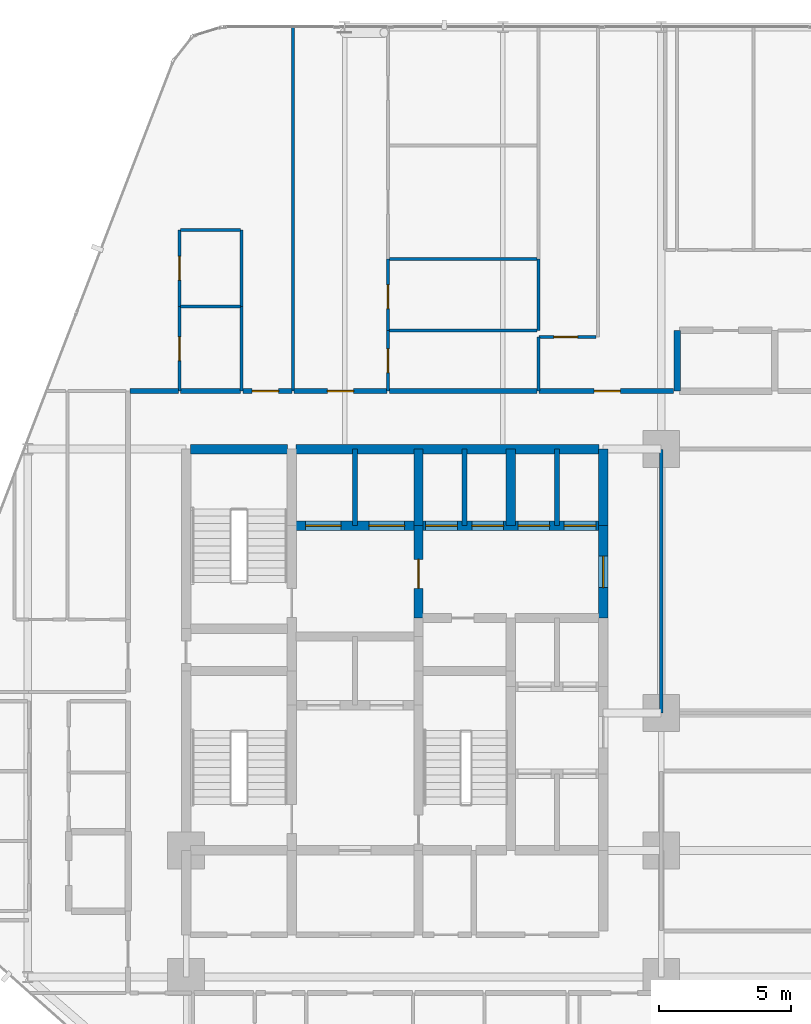
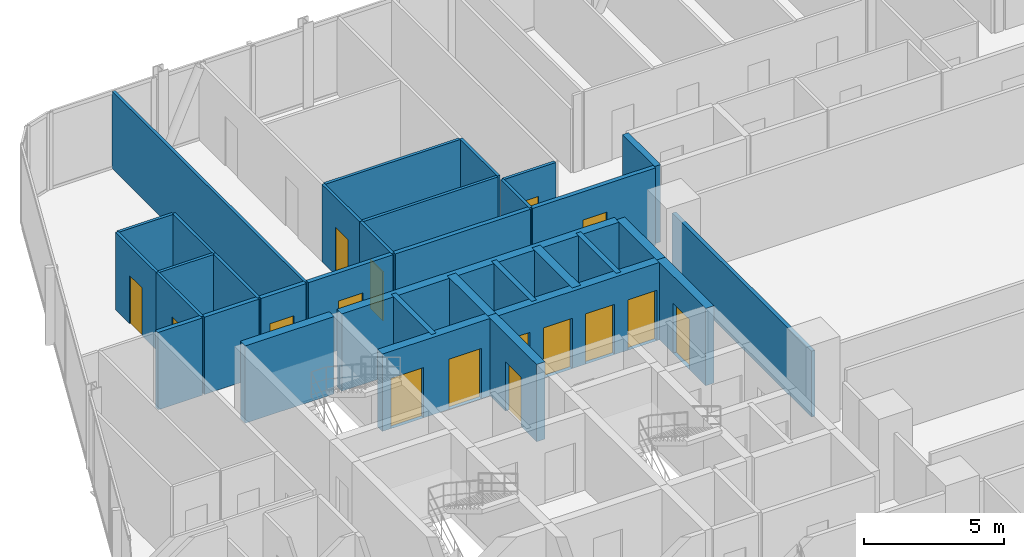
# One storey, part 31 of 35: 33 walls, 16 doors, 16 openings.
"""IFC4 building model written with IfcOpenShell, lengths in metres."""

from ifc_helpers import new_model, si_unit, direction, frame, frame_2d, origin, place, context, subcontext, project, spatial, rectangle, extrude, material, layer, layer_set, type_object, element, fill, save


model = new_model("IFC4")

# Units and contexts
model_context = context("Model", 3, precision=1e-05, world=origin(), true_north=direction((0.0, 1.0)))
body_context = subcontext(model_context, "Body", "Model", "MODEL_VIEW")
ifc_project = project(units=[si_unit("LENGTHUNIT", "METRE"), si_unit("AREAUNIT", "SQUARE_METRE"), si_unit("VOLUMEUNIT", "CUBIC_METRE"), si_unit("PLANEANGLEUNIT", "RADIAN"), si_unit("MASSUNIT", "GRAM", prefix="KILO")], contexts=[model_context])

# Site, building, storey
site_placement = place(None, origin())
site = spatial("IfcSite", under=ifc_project, at=site_placement, CompositionType="ELEMENT")
building_placement = place(site_placement, origin())
building = spatial("IfcBuilding", under=site, at=building_placement, Name="Keshet Zoharim Tower", CompositionType="ELEMENT")
storey_placement = place(building_placement, frame((0.0, 0.0, 24.0)))
storey = spatial("IfcBuildingStorey", under=building, at=storey_placement, Name="L04", CompositionType="ELEMENT", Elevation=24.0)

# Wall
ifc_material_1 = material(Name="Gypsum Plasterboard", Category="gypsum")
ifc_layer_1 = layer(ifc_material_1, 0.14990234375)
ifc_layer_set_1 = layer_set([ifc_layer_1], Name="Gypsum Plasterboard")
wall_type_1 = type_object("IfcWallType", Name="WL-CLIN-150", PredefinedType="STANDARD", material=ifc_layer_set_1)
wall_1_placement = place(storey_placement, frame((33.0, 27.909912109375, 0.0), z_axis=(0.0, 0.0, 1.0), x_axis=(0.0, 1.0, 0.0)))
element("IfcWall", 1, at=wall_1_placement, inside=storey, type_object=wall_type_1, Name="L04 Interior Wall 073", PredefinedType="STANDARD", context=body_context, shape_type="SweptSolid", body=[
    extrude(rectangle(XDim=9.97998046875, YDim=0.14990234375, at=frame_2d((4.989990234375, 0.0))), origin(), (0.0, 0.0, 1.0), 2.885009765625),
])

# Wall, opening, door
ifc_material_2 = material(Name="Concrete C60/75", Category="concrete")
ifc_layer_2 = layer(ifc_material_2, 0.35009765625)
ifc_layer_set_2 = layer_set([ifc_layer_2], Name="Concrete C60/75")
wall_type_2 = type_object("IfcWallType", Name="WL-CORE-350", PredefinedType="SHEAR", material=ifc_layer_set_2)
wall_2_placement = place(storey_placement, frame((23.800048828125, 31.5, 0.0), z_axis=(0.0, 0.0, 1.0), x_axis=(0.0, 1.0, 0.0)))
wall_2 = element("IfcWall", 2, at=wall_2_placement, inside=storey, type_object=wall_type_2, Name="L04 Core Shear Wall 045", PredefinedType="SHEAR", context=body_context, shape_type="SweptSolid", body=[
    extrude(rectangle(XDim=3.5, YDim=0.35009765625, at=frame_2d((1.75, 0.0))), origin(), (0.0, 0.0, 1.0), 3.385009765625),
])
opening_1_placement = place(wall_2_placement, frame((1.126953125, 0.0, 0.0)))
opening_1 = element("IfcOpeningElement", 3, at=opening_1_placement, cuts=wall_2, Name="Opening D-F611", PredefinedType="OPENING", context=body_context, shape_type="SweptSolid", body=[
    extrude(rectangle(XDim=1.10009765625, YDim=2.14990234375, at=frame_2d((0.550048828125, 1.074951171875))), frame((0.0, 0.18505859375, 0.0), z_axis=(0.0, -1.0, 0.0), x_axis=(1.0, 0.0, 0.0)), (0.0, 0.0, 1.0), 0.3701171875),
])
ifc_material_3 = material(Name="Hardwood Timber", Category="wood")
door_type_1 = type_object("IfcDoorType", Name="DR-FD60-110", OperationType="NOTDEFINED", PredefinedType="DOOR", material=ifc_material_3)
door_1_placement = place(opening_1_placement, origin())
door_1 = element("IfcDoor", 4, at=door_1_placement, inside=storey, type_object=door_type_1, Name="L04 Firefighting Lobby Fire Door", OperationType="SINGLE_SWING_RIGHT", OverallHeight=2.14990234375, OverallWidth=1.10009765625, PredefinedType="DOOR", context=body_context, shape_type="SweptSolid", body=[
    extrude(rectangle(XDim=1.10009765625, YDim=2.14990234375, at=frame_2d((0.550048828125, 1.074951171875))), frame((0.0, 0.02490234375, 0.0), z_axis=(0.0, -1.0, 0.0), x_axis=(1.0, 0.0, 0.0)), (0.0, 0.0, 1.0), 0.050048828125),
])
fill(opening_1, door_1)

# Walls
for number, where, z_axis, x_axis, name in (
    (5, (23.800048828125, 35.0, 0.0), (0.0, 0.0, 1.0), (0.0, 1.0, 0.0), "L04 Core Shear Wall 046"),
    (6, (27.300048828125, 35.0, 0.0), (0.0, 0.0, 1.0), (0.0, 1.0, 0.0), "L04 Core Shear Wall 055"),
):
    element("IfcWall", number, at=place(storey_placement, frame(where, z_axis=z_axis, x_axis=x_axis)), inside=storey, type_object=wall_type_2, Name=name, PredefinedType="SHEAR", context=body_context, shape_type="SweptSolid", body=[
        extrude(rectangle(XDim=2.89990234375, YDim=0.35009765625, at=frame_2d((1.449951171875, 0.0))), origin(), (0.0, 0.0, 1.0), 3.385009765625),
    ])

# Wall, opening, door
wall_3_placement = place(storey_placement, frame((30.800048828125, 31.5, 0.0), z_axis=(0.0, 0.0, 1.0), x_axis=(0.0, 1.0, 0.0)))
wall_3 = element("IfcWall", 7, at=wall_3_placement, inside=storey, type_object=wall_type_2, Name="L04 Core Shear Wall 070", PredefinedType="SHEAR", context=body_context, shape_type="SweptSolid", body=[
    extrude(rectangle(XDim=3.5, YDim=0.35009765625, at=frame_2d((1.75, 0.0))), origin(), (0.0, 0.0, 1.0), 3.385009765625),
])
opening_2_placement = place(wall_3_placement, frame((1.14990234375, 0.0, 0.0)))
opening_2 = element("IfcOpeningElement", 8, at=opening_2_placement, cuts=wall_3, Name="Opening D-F612", PredefinedType="OPENING", context=body_context, shape_type="SweptSolid", body=[
    extrude(rectangle(XDim=1.199951171875, YDim=2.199951171875, at=frame_2d((0.60009765625, 1.10009765625))), frame((0.0, 0.18505859375, 0.0), z_axis=(0.0, -1.0, 0.0), x_axis=(1.0, 0.0, 0.0)), (0.0, 0.0, 1.0), 0.3701171875),
])
door_type_2 = type_object("IfcDoorType", Name="DR-FD60-120", OperationType="NOTDEFINED", PredefinedType="DOOR", material=ifc_material_3)
door_2_placement = place(opening_2_placement, origin())
door_2 = element("IfcDoor", 9, at=door_2_placement, inside=storey, type_object=door_type_2, Name="L04 North Lift Lobby East Fire Door", OperationType="SINGLE_SWING_RIGHT", OverallHeight=2.199951171875, OverallWidth=1.199951171875, PredefinedType="DOOR", context=body_context, shape_type="SweptSolid", body=[
    extrude(rectangle(XDim=1.199951171875, YDim=2.199951171875, at=frame_2d((0.60009765625, 1.10009765625))), frame((0.0, 0.02490234375, 0.0), z_axis=(0.0, -1.0, 0.0), x_axis=(1.0, 0.0, 0.0)), (0.0, 0.0, 1.0), 0.050048828125),
])
fill(opening_2, door_2)

# Wall
wall_4_placement = place(storey_placement, frame((30.800048828125, 35.0, 0.0), z_axis=(0.0, 0.0, 1.0), x_axis=(0.0, 1.0, 0.0)))
element("IfcWall", 10, at=wall_4_placement, inside=storey, type_object=wall_type_2, Name="L04 Core Shear Wall 071", PredefinedType="SHEAR", context=body_context, shape_type="SweptSolid", body=[
    extrude(rectangle(XDim=2.89990234375, YDim=0.35009765625, at=frame_2d((1.449951171875, 0.0))), origin(), (0.0, 0.0, 1.0), 3.385009765625),
])

# Wall, openings, doors
wall_5_placement = place(storey_placement, frame((19.159912109375, 35.0, 0.0), z_axis=(0.0, 0.0, 1.0), x_axis=(1.0, 0.0, 0.0)))
wall_5 = element("IfcWall", 11, at=wall_5_placement, inside=storey, type_object=wall_type_2, Name="L04 Core Shear Wall 197", PredefinedType="SHEAR", context=body_context, shape_type="SweptSolid", body=[
    extrude(rectangle(XDim=11.47998046875, YDim=0.35009765625, at=frame_2d((5.739990234375, 0.0))), origin(), (0.0, 0.0, 1.0), 3.385009765625),
])
opening_3_placement = place(wall_5_placement, frame((0.364990234375, 0.0, 0.0)))
opening_3 = element("IfcOpeningElement", 12, at=opening_3_placement, cuts=wall_5, Name="Opening LD-02", PredefinedType="OPENING", context=body_context, shape_type="SweptSolid", body=[
    extrude(rectangle(XDim=1.35009765625, YDim=2.199951171875, at=frame_2d((0.675048828125, 1.10009765625))), frame((0.0, 0.18505859375, 0.0), z_axis=(0.0, -1.0, 0.0), x_axis=(1.0, 0.0, 0.0)), (0.0, 0.0, 1.0), 0.3701171875),
])
opening_4_placement = place(wall_5_placement, frame((2.764892578125, 0.0, 0.0)))
opening_4 = element("IfcOpeningElement", 13, at=opening_4_placement, cuts=wall_5, Name="Opening LD-02", PredefinedType="OPENING", context=body_context, shape_type="SweptSolid", body=[
    extrude(rectangle(XDim=1.35009765625, YDim=2.199951171875, at=frame_2d((0.675048828125, 1.10009765625))), frame((0.0, 0.18505859375, 0.0), z_axis=(0.0, -1.0, 0.0), x_axis=(1.0, 0.0, 0.0)), (0.0, 0.0, 1.0), 0.3701171875),
])
opening_5_placement = place(wall_5_placement, frame((4.9150390625, 0.0, 0.0)))
opening_5 = element("IfcOpeningElement", 14, at=opening_5_placement, cuts=wall_5, Name="Opening LD-03", PredefinedType="OPENING", context=body_context, shape_type="SweptSolid", body=[
    extrude(rectangle(XDim=1.199951171875, YDim=2.199951171875, at=frame_2d((0.60009765625, 1.10009765625))), frame((0.0, 0.18505859375, 0.0), z_axis=(0.0, -1.0, 0.0), x_axis=(1.0, 0.0, 0.0)), (0.0, 0.0, 1.0), 0.3701171875),
])
opening_6_placement = place(wall_5_placement, frame((6.6650390625, 0.0, 0.0)))
opening_6 = element("IfcOpeningElement", 15, at=opening_6_placement, cuts=wall_5, Name="Opening LD-03", PredefinedType="OPENING", context=body_context, shape_type="SweptSolid", body=[
    extrude(rectangle(XDim=1.199951171875, YDim=2.199951171875, at=frame_2d((0.60009765625, 1.10009765625))), frame((0.0, 0.18505859375, 0.0), z_axis=(0.0, -1.0, 0.0), x_axis=(1.0, 0.0, 0.0)), (0.0, 0.0, 1.0), 0.3701171875),
])
opening_7_placement = place(wall_5_placement, frame((8.4150390625, 0.0, 0.0)))
opening_7 = element("IfcOpeningElement", 16, at=opening_7_placement, cuts=wall_5, Name="Opening LD-03", PredefinedType="OPENING", context=body_context, shape_type="SweptSolid", body=[
    extrude(rectangle(XDim=1.199951171875, YDim=2.199951171875, at=frame_2d((0.60009765625, 1.10009765625))), frame((0.0, 0.18505859375, 0.0), z_axis=(0.0, -1.0, 0.0), x_axis=(1.0, 0.0, 0.0)), (0.0, 0.0, 1.0), 0.3701171875),
])
opening_8_placement = place(wall_5_placement, frame((10.159912109375, 0.0, 0.0)))
opening_8 = element("IfcOpeningElement", 17, at=opening_8_placement, cuts=wall_5, Name="Opening LD-03", PredefinedType="OPENING", context=body_context, shape_type="SweptSolid", body=[
    extrude(rectangle(XDim=1.199951171875, YDim=2.199951171875, at=frame_2d((0.60009765625, 1.10009765625))), frame((0.0, 0.18505859375, 0.0), z_axis=(0.0, -1.0, 0.0), x_axis=(1.0, 0.0, 0.0)), (0.0, 0.0, 1.0), 0.3701171875),
])
ifc_material_4 = material(Name="Steel S355", Category="steel")
door_type_3 = type_object("IfcDoorType", Name="DR-LD02-135", OperationType="DOUBLE_DOOR_SLIDING", PredefinedType="DOOR", material=ifc_material_4)
door_3_placement = place(opening_3_placement, origin())
door_3 = element("IfcDoor", 18, at=door_3_placement, inside=storey, type_object=door_type_3, Name="L04 Firefighting Lift Landing Door FF-01", OperationType="DOUBLE_DOOR_SLIDING", OverallHeight=2.199951171875, OverallWidth=1.35009765625, PredefinedType="DOOR", context=body_context, shape_type="SweptSolid", body=[
    extrude(rectangle(XDim=1.35009765625, YDim=2.199951171875, at=frame_2d((0.675048828125, 1.10009765625))), frame((0.0, 0.02490234375, 0.0), z_axis=(0.0, -1.0, 0.0), x_axis=(1.0, 0.0, 0.0)), (0.0, 0.0, 1.0), 0.050048828125),
])
fill(opening_3, door_3)
door_4_placement = place(opening_4_placement, origin())
door_4 = element("IfcDoor", 19, at=door_4_placement, inside=storey, type_object=door_type_3, Name="L04 Firefighting Lift Landing Door FF-02", OperationType="DOUBLE_DOOR_SLIDING", OverallHeight=2.199951171875, OverallWidth=1.35009765625, PredefinedType="DOOR", context=body_context, shape_type="SweptSolid", body=[
    extrude(rectangle(XDim=1.35009765625, YDim=2.199951171875, at=frame_2d((0.675048828125, 1.10009765625))), frame((0.0, 0.02490234375, 0.0), z_axis=(0.0, -1.0, 0.0), x_axis=(1.0, 0.0, 0.0)), (0.0, 0.0, 1.0), 0.050048828125),
])
fill(opening_4, door_4)
door_type_4 = type_object("IfcDoorType", Name="DR-LD03-120", OperationType="DOUBLE_DOOR_SLIDING", PredefinedType="DOOR", material=ifc_material_4)
door_5_placement = place(opening_5_placement, origin())
door_5 = element("IfcDoor", 20, at=door_5_placement, inside=storey, type_object=door_type_4, Name="L04 Passenger Lift Landing Door LF-01", OperationType="DOUBLE_DOOR_SLIDING", OverallHeight=2.199951171875, OverallWidth=1.199951171875, PredefinedType="DOOR", context=body_context, shape_type="SweptSolid", body=[
    extrude(rectangle(XDim=1.199951171875, YDim=2.199951171875, at=frame_2d((0.60009765625, 1.10009765625))), frame((0.0, 0.02490234375, 0.0), z_axis=(0.0, -1.0, 0.0), x_axis=(1.0, 0.0, 0.0)), (0.0, 0.0, 1.0), 0.050048828125),
])
fill(opening_5, door_5)
door_6_placement = place(opening_6_placement, origin())
door_6 = element("IfcDoor", 21, at=door_6_placement, inside=storey, type_object=door_type_4, Name="L04 Passenger Lift Landing Door LF-02", OperationType="DOUBLE_DOOR_SLIDING", OverallHeight=2.199951171875, OverallWidth=1.199951171875, PredefinedType="DOOR", context=body_context, shape_type="SweptSolid", body=[
    extrude(rectangle(XDim=1.199951171875, YDim=2.199951171875, at=frame_2d((0.60009765625, 1.10009765625))), frame((0.0, 0.02490234375, 0.0), z_axis=(0.0, -1.0, 0.0), x_axis=(1.0, 0.0, 0.0)), (0.0, 0.0, 1.0), 0.050048828125),
])
fill(opening_6, door_6)
door_7_placement = place(opening_7_placement, origin())
door_7 = element("IfcDoor", 22, at=door_7_placement, inside=storey, type_object=door_type_4, Name="L04 Passenger Lift Landing Door LF-03", OperationType="DOUBLE_DOOR_SLIDING", OverallHeight=2.199951171875, OverallWidth=1.199951171875, PredefinedType="DOOR", context=body_context, shape_type="SweptSolid", body=[
    extrude(rectangle(XDim=1.199951171875, YDim=2.199951171875, at=frame_2d((0.60009765625, 1.10009765625))), frame((0.0, 0.02490234375, 0.0), z_axis=(0.0, -1.0, 0.0), x_axis=(1.0, 0.0, 0.0)), (0.0, 0.0, 1.0), 0.050048828125),
])
fill(opening_7, door_7)
door_8_placement = place(opening_8_placement, origin())
door_8 = element("IfcDoor", 23, at=door_8_placement, inside=storey, type_object=door_type_4, Name="L04 Passenger Lift Landing Door LF-04", OperationType="DOUBLE_DOOR_SLIDING", OverallHeight=2.199951171875, OverallWidth=1.199951171875, PredefinedType="DOOR", context=body_context, shape_type="SweptSolid", body=[
    extrude(rectangle(XDim=1.199951171875, YDim=2.199951171875, at=frame_2d((0.60009765625, 1.10009765625))), frame((0.0, 0.02490234375, 0.0), z_axis=(0.0, -1.0, 0.0), x_axis=(1.0, 0.0, 0.0)), (0.0, 0.0, 1.0), 0.050048828125),
])
fill(opening_8, door_8)

# Walls
wall_6_placement = place(storey_placement, frame((15.159912109375, 37.89990234375, 0.0), z_axis=(0.0, 0.0, 1.0), x_axis=(1.0, 0.0, 0.0)))
element("IfcWall", 24, at=wall_6_placement, inside=storey, type_object=wall_type_2, Name="L04 Core Shear Wall 198", PredefinedType="SHEAR", context=body_context, shape_type="SweptSolid", body=[
    extrude(rectangle(XDim=3.68017578125, YDim=0.35009765625, at=frame_2d((1.840087890625, 0.0))), origin(), (0.0, 0.0, 1.0), 3.385009765625),
])
wall_7_placement = place(storey_placement, frame((19.159912109375, 37.89990234375, 0.0), z_axis=(0.0, 0.0, 1.0), x_axis=(1.0, 0.0, 0.0)))
element("IfcWall", 25, at=wall_7_placement, inside=storey, type_object=wall_type_2, Name="L04 Core Shear Wall 199", PredefinedType="SHEAR", context=body_context, shape_type="SweptSolid", body=[
    extrude(rectangle(XDim=11.47998046875, YDim=0.35009765625, at=frame_2d((5.739990234375, 0.0))), origin(), (0.0, 0.0, 1.0), 3.385009765625),
])
ifc_layer_3 = layer(ifc_material_1, 0.179931640625)
ifc_layer_set_3 = layer_set([ifc_layer_3], Name="Gypsum Plasterboard")
wall_type_3 = type_object("IfcWallType", Name="WL-CORR-180", PredefinedType="STANDARD", material=ifc_layer_set_3)
wall_8_placement = place(storey_placement, frame((12.875, 40.10009765625, 0.0), z_axis=(0.0, 0.0, 1.0), x_axis=(1.0, 0.0, 0.0)))
element("IfcWall", 26, at=wall_8_placement, inside=storey, type_object=wall_type_3, Name="L04 Interior Wall 203", PredefinedType="STANDARD", context=body_context, shape_type="SweptSolid", body=[
    extrude(rectangle(XDim=1.830078125, YDim=0.179931640625, at=frame_2d((0.9150390625, 0.0))), origin(), (0.0, 0.0, 1.0), 3.385009765625),
])
wall_9_placement = place(storey_placement, frame((14.794921875, 40.10009765625, 0.0), z_axis=(0.0, 0.0, 1.0), x_axis=(1.0, 0.0, 0.0)))
element("IfcWall", 27, at=wall_9_placement, inside=storey, type_object=wall_type_3, Name="L04 Interior Wall 204", PredefinedType="STANDARD", context=body_context, shape_type="SweptSolid", body=[
    extrude(rectangle(XDim=2.260009765625, YDim=0.179931640625, at=frame_2d((1.1298828125, 0.0))), origin(), (0.0, 0.0, 1.0), 3.385009765625),
])

# Wall, opening, door
wall_10_placement = place(storey_placement, frame((17.14501953125, 40.10009765625, 0.0), z_axis=(0.0, 0.0, 1.0), x_axis=(1.0, 0.0, 0.0)))
wall_10 = element("IfcWall", 28, at=wall_10_placement, inside=storey, type_object=wall_type_3, Name="L04 Interior Wall 205", PredefinedType="STANDARD", context=body_context, shape_type="SweptSolid", body=[
    extrude(rectangle(XDim=1.85986328125, YDim=0.179931640625, at=frame_2d((0.929931640625, 0.0))), origin(), (0.0, 0.0, 1.0), 3.385009765625),
])
opening_9_placement = place(wall_10_placement, frame((0.35693359375, 0.0, 0.0)))
opening_9 = element("IfcOpeningElement", 29, at=opening_9_placement, cuts=wall_10, Name="Opening D-F310", PredefinedType="OPENING", context=body_context, shape_type="SweptSolid", body=[
    extrude(rectangle(XDim=1.0, YDim=2.14990234375, at=frame_2d((0.5, 1.074951171875))), frame((0.0, 0.10009765625, 0.0), z_axis=(0.0, -1.0, 0.0), x_axis=(1.0, 0.0, 0.0)), (0.0, 0.0, 1.0), 0.199951171875),
])
door_type_5 = type_object("IfcDoorType", Name="DR-FD30-100", OperationType="NOTDEFINED", PredefinedType="DOOR", material=ifc_material_3)
door_9_placement = place(opening_9_placement, origin())
door_9 = element("IfcDoor", 30, at=door_9_placement, inside=storey, type_object=door_type_5, Name="Apartment 0407 Entrance Door", OperationType="SINGLE_SWING_LEFT", OverallHeight=2.14990234375, OverallWidth=1.0, PredefinedType="DOOR", context=body_context, shape_type="SweptSolid", body=[
    extrude(rectangle(XDim=1.0, YDim=2.14990234375, at=frame_2d((0.5, 1.074951171875))), frame((0.0, 0.02490234375, 0.0), z_axis=(0.0, -1.0, 0.0), x_axis=(1.0, 0.0, 0.0)), (0.0, 0.0, 1.0), 0.050048828125),
])
fill(opening_9, door_9)

wall_11_placement = place(storey_placement, frame((19.094970703125, 40.10009765625, 0.0), z_axis=(0.0, 0.0, 1.0), x_axis=(1.0, 0.0, 0.0)))
wall_11 = element("IfcWall", 31, at=wall_11_placement, inside=storey, type_object=wall_type_3, Name="L04 Interior Wall 206", PredefinedType="STANDARD", context=body_context, shape_type="SweptSolid", body=[
    extrude(rectangle(XDim=3.510009765625, YDim=0.179931640625, at=frame_2d((1.7548828125, 0.0))), origin(), (0.0, 0.0, 1.0), 3.385009765625),
])
opening_10_placement = place(wall_11_placement, frame((1.2548828125, 0.0, 0.0)))
opening_10 = element("IfcOpeningElement", 32, at=opening_10_placement, cuts=wall_11, Name="Opening D-F310", PredefinedType="OPENING", context=body_context, shape_type="SweptSolid", body=[
    extrude(rectangle(XDim=1.0, YDim=2.14990234375, at=frame_2d((0.5, 1.074951171875))), frame((0.0, 0.10009765625, 0.0), z_axis=(0.0, -1.0, 0.0), x_axis=(1.0, 0.0, 0.0)), (0.0, 0.0, 1.0), 0.199951171875),
])
door_10_placement = place(opening_10_placement, origin())
door_10 = element("IfcDoor", 33, at=door_10_placement, inside=storey, type_object=door_type_5, Name="Apartment 0408 Entrance Door", OperationType="SINGLE_SWING_RIGHT", OverallHeight=2.14990234375, OverallWidth=1.0, PredefinedType="DOOR", context=body_context, shape_type="SweptSolid", body=[
    extrude(rectangle(XDim=1.0, YDim=2.14990234375, at=frame_2d((0.5, 1.074951171875))), frame((0.0, 0.02490234375, 0.0), z_axis=(0.0, -1.0, 0.0), x_axis=(1.0, 0.0, 0.0)), (0.0, 0.0, 1.0), 0.050048828125),
])
fill(opening_10, door_10)

# Wall
wall_12_placement = place(storey_placement, frame((22.695068359375, 40.10009765625, 0.0), z_axis=(0.0, 0.0, 1.0), x_axis=(1.0, 0.0, 0.0)))
element("IfcWall", 34, at=wall_12_placement, inside=storey, type_object=wall_type_3, Name="L04 Interior Wall 207", PredefinedType="STANDARD", context=body_context, shape_type="SweptSolid", body=[
    extrude(rectangle(XDim=5.58984375, YDim=0.179931640625, at=frame_2d((2.794921875, 0.0))), origin(), (0.0, 0.0, 1.0), 3.385009765625),
])

# Wall, opening, door
wall_13_placement = place(storey_placement, frame((28.375, 40.10009765625, 0.0), z_axis=(0.0, 0.0, 1.0), x_axis=(1.0, 0.0, 0.0)))
wall_13 = element("IfcWall", 35, at=wall_13_placement, inside=storey, type_object=wall_type_3, Name="L04 Interior Wall 208", PredefinedType="STANDARD", context=body_context, shape_type="SweptSolid", body=[
    extrude(rectangle(XDim=5.094970703125, YDim=0.179931640625, at=frame_2d((2.54736328125, 0.0))), origin(), (0.0, 0.0, 1.0), 3.385009765625),
])
opening_11_placement = place(wall_13_placement, frame((2.080078125, 0.0, 0.0)))
opening_11 = element("IfcOpeningElement", 36, at=opening_11_placement, cuts=wall_13, Name="Opening D-F310", PredefinedType="OPENING", context=body_context, shape_type="SweptSolid", body=[
    extrude(rectangle(XDim=1.0, YDim=2.14990234375, at=frame_2d((0.5, 1.074951171875))), frame((0.0, 0.10009765625, 0.0), z_axis=(0.0, -1.0, 0.0), x_axis=(1.0, 0.0, 0.0)), (0.0, 0.0, 1.0), 0.199951171875),
])
door_11_placement = place(opening_11_placement, origin())
door_11 = element("IfcDoor", 37, at=door_11_placement, inside=storey, type_object=door_type_5, Name="Apartment 0409 Entrance Door", OperationType="SINGLE_SWING_LEFT", OverallHeight=2.14990234375, OverallWidth=1.0, PredefinedType="DOOR", context=body_context, shape_type="SweptSolid", body=[
    extrude(rectangle(XDim=1.0, YDim=2.14990234375, at=frame_2d((0.5, 1.074951171875))), frame((0.0, 0.02490234375, 0.0), z_axis=(0.0, -1.0, 0.0), x_axis=(1.0, 0.0, 0.0)), (0.0, 0.0, 1.0), 0.050048828125),
])
fill(opening_11, door_11)

# Walls
ifc_material_5 = material(Name="Concrete C50/60", Category="concrete")
ifc_layer_4 = layer(ifc_material_5, 0.199951171875)
ifc_layer_set_4 = layer_set([ifc_layer_4], Name="Concrete C50/60")
wall_type_4 = type_object("IfcWallType", Name="WL-FIRE-200", PredefinedType="STANDARD", material=ifc_layer_set_4)
for number, where, z_axis, x_axis, name in (
    (38, (21.39990234375, 35.0, 0.0), (0.0, 0.0, 1.0), (0.0, 1.0, 0.0), "L04 Interior Wall 033"),
    (39, (25.550048828125, 35.0, 0.0), (0.0, 0.0, 1.0), (0.0, 1.0, 0.0), "L04 Interior Wall 047"),
    (40, (29.050048828125, 35.0, 0.0), (0.0, 0.0, 1.0), (0.0, 1.0, 0.0), "L04 Interior Wall 061"),
):
    element("IfcWall", number, at=place(storey_placement, frame(where, z_axis=z_axis, x_axis=x_axis)), inside=storey, type_object=wall_type_4, Name=name, PredefinedType="STANDARD", context=body_context, shape_type="SweptSolid", body=[
        extrude(rectangle(XDim=2.89990234375, YDim=0.199951171875, at=frame_2d((1.449951171875, 0.0))), origin(), (0.0, 0.0, 1.0), 3.385009765625),
    ])
ifc_layer_5 = layer(ifc_material_5, 0.25)
ifc_layer_set_5 = layer_set([ifc_layer_5], Name="Concrete C50/60")
wall_type_5 = type_object("IfcWallType", Name="WL-MAMAD-250", PredefinedType="STANDARD", material=ifc_layer_set_5)
wall_14_placement = place(storey_placement, frame((33.60009765625, 40.10009765625, 0.0), z_axis=(0.0, 0.0, 1.0), x_axis=(0.0, 1.0, 0.0)))
element("IfcWall", 41, at=wall_14_placement, inside=storey, type_object=wall_type_5, Name="L04 Interior Wall 076", PredefinedType="STANDARD", context=body_context, shape_type="SweptSolid", body=[
    extrude(rectangle(XDim=2.2998046875, YDim=0.25, at=frame_2d((1.14990234375, 0.0))), origin(), (0.0, 0.0, 1.0), 3.385009765625),
])

# Wall, opening, door
ifc_layer_6 = layer(ifc_material_1, 0.1201171875)
ifc_layer_set_6 = layer_set([ifc_layer_6], Name="Gypsum Plasterboard")
wall_type_6 = type_object("IfcWallType", Name="WL-PART-120", PredefinedType="PARTITIONING", material=ifc_layer_set_6)
wall_15_placement = place(storey_placement, frame((14.75, 40.10009765625, 0.0), z_axis=(0.0, 0.0, 1.0), x_axis=(0.0, 1.0, 0.0)))
wall_15 = element("IfcWall", 42, at=wall_15_placement, inside=storey, type_object=wall_type_6, Name="L04 Interior Wall 013", PredefinedType="PARTITIONING", context=body_context, shape_type="SweptSolid", body=[
    extrude(rectangle(XDim=3.199951171875, YDim=0.1201171875, at=frame_2d((1.60009765625, 0.0))), origin(), (0.0, 0.0, 1.0), 3.385009765625),
])
opening_12_placement = place(wall_15_placement, frame((1.14990234375, 0.0, 0.0)))
opening_12 = element("IfcOpeningElement", 43, at=opening_12_placement, cuts=wall_15, Name="Opening D-IN90", PredefinedType="OPENING", context=body_context, shape_type="SweptSolid", body=[
    extrude(rectangle(XDim=0.89990234375, YDim=2.14990234375, at=frame_2d((0.449951171875, 1.074951171875))), frame((0.0, 0.070068359375, 0.0), z_axis=(0.0, -1.0, 0.0), x_axis=(1.0, 0.0, 0.0)), (0.0, 0.0, 1.0), 0.14013671875),
])
door_type_6 = type_object("IfcDoorType", Name="DR-INT-090", OperationType="NOTDEFINED", PredefinedType="DOOR", material=ifc_material_3)
door_12_placement = place(opening_12_placement, origin())
door_12 = element("IfcDoor", 44, at=door_12_placement, inside=storey, type_object=door_type_6, Name="Apartment 0407 Kitchenette Door", OperationType="SINGLE_SWING_RIGHT", OverallHeight=2.14990234375, OverallWidth=0.89990234375, PredefinedType="DOOR", context=body_context, shape_type="SweptSolid", body=[
    extrude(rectangle(XDim=0.89990234375, YDim=2.14990234375, at=frame_2d((0.449951171875, 1.074951171875))), frame((0.0, 0.02490234375, 0.0), z_axis=(0.0, -1.0, 0.0), x_axis=(1.0, 0.0, 0.0)), (0.0, 0.0, 1.0), 0.050048828125),
])
fill(opening_12, door_12)

# Walls
wall_16_placement = place(storey_placement, frame((17.10009765625, 40.10009765625, 0.0), z_axis=(0.0, 0.0, 1.0), x_axis=(0.0, 1.0, 0.0)))
element("IfcWall", 45, at=wall_16_placement, inside=storey, type_object=wall_type_6, Name="L04 Interior Wall 021", PredefinedType="PARTITIONING", context=body_context, shape_type="SweptSolid", body=[
    extrude(rectangle(XDim=3.199951171875, YDim=0.1201171875, at=frame_2d((1.60009765625, 0.0))), origin(), (0.0, 0.0, 1.0), 3.385009765625),
])
wall_17_placement = place(storey_placement, frame((19.050048828125, 40.10009765625, 0.0), z_axis=(0.0, 0.0, 1.0), x_axis=(0.0, 1.0, 0.0)))
element("IfcWall", 46, at=wall_17_placement, inside=storey, type_object=wall_type_6, Name="L04 Interior Wall 030", PredefinedType="PARTITIONING", context=body_context, shape_type="SweptSolid", body=[
    extrude(rectangle(XDim=13.789794921875, YDim=0.1201171875, at=frame_2d((6.89501953125, 0.0))), origin(), (0.0, 0.0, 1.0), 3.385009765625),
])

# Wall, opening, door
wall_18_placement = place(storey_placement, frame((22.64990234375, 40.10009765625, 0.0), z_axis=(0.0, 0.0, 1.0), x_axis=(0.0, 1.0, 0.0)))
wall_18 = element("IfcWall", 47, at=wall_18_placement, inside=storey, type_object=wall_type_6, Name="L04 Interior Wall 034", PredefinedType="PARTITIONING", context=body_context, shape_type="SweptSolid", body=[
    extrude(rectangle(XDim=2.2998046875, YDim=0.1201171875, at=frame_2d((1.14990234375, 0.0))), origin(), (0.0, 0.0, 1.0), 3.385009765625),
])
opening_13_placement = place(wall_18_placement, frame((0.699951171875, 0.0, 0.0)))
opening_13 = element("IfcOpeningElement", 48, at=opening_13_placement, cuts=wall_18, Name="Opening D-IN90", PredefinedType="OPENING", context=body_context, shape_type="SweptSolid", body=[
    extrude(rectangle(XDim=0.89990234375, YDim=2.14990234375, at=frame_2d((0.449951171875, 1.074951171875))), frame((0.0, 0.070068359375, 0.0), z_axis=(0.0, -1.0, 0.0), x_axis=(1.0, 0.0, 0.0)), (0.0, 0.0, 1.0), 0.14013671875),
])
door_13_placement = place(opening_13_placement, origin())
door_13 = element("IfcDoor", 49, at=door_13_placement, inside=storey, type_object=door_type_6, Name="Apartment 0408 Kitchen Door", OperationType="SINGLE_SWING_LEFT", OverallHeight=2.14990234375, OverallWidth=0.89990234375, PredefinedType="DOOR", context=body_context, shape_type="SweptSolid", body=[
    extrude(rectangle(XDim=0.89990234375, YDim=2.14990234375, at=frame_2d((0.449951171875, 1.074951171875))), frame((0.0, 0.02490234375, 0.0), z_axis=(0.0, -1.0, 0.0), x_axis=(1.0, 0.0, 0.0)), (0.0, 0.0, 1.0), 0.050048828125),
])
fill(opening_13, door_13)

# Wall
wall_19_placement = place(storey_placement, frame((28.35009765625, 40.10009765625, 0.0), z_axis=(0.0, 0.0, 1.0), x_axis=(0.0, 1.0, 0.0)))
element("IfcWall", 50, at=wall_19_placement, inside=storey, type_object=wall_type_6, Name="L04 Interior Wall 056", PredefinedType="PARTITIONING", context=body_context, shape_type="SweptSolid", body=[
    extrude(rectangle(XDim=2.0498046875, YDim=0.1201171875, at=frame_2d((1.02490234375, 0.0))), origin(), (0.0, 0.0, 1.0), 3.385009765625),
])

# Wall, opening, door
wall_20_placement = place(storey_placement, frame((28.375, 42.14990234375, 0.0), z_axis=(0.0, 0.0, 1.0), x_axis=(1.0, 0.0, 0.0)))
wall_20 = element("IfcWall", 51, at=wall_20_placement, inside=storey, type_object=wall_type_6, Name="L04 Interior Wall 218", PredefinedType="PARTITIONING", context=body_context, shape_type="SweptSolid", body=[
    extrude(rectangle(XDim=2.159912109375, YDim=0.1201171875, at=frame_2d((1.080078125, 0.0))), origin(), (0.0, 0.0, 1.0), 3.385009765625),
])
opening_14_placement = place(wall_20_placement, frame((0.552978515625, 0.0, 0.0)))
opening_14 = element("IfcOpeningElement", 52, at=opening_14_placement, cuts=wall_20, Name="Opening D-IN90", PredefinedType="OPENING", context=body_context, shape_type="SweptSolid", body=[
    extrude(rectangle(XDim=0.89990234375, YDim=2.14990234375, at=frame_2d((0.449951171875, 1.074951171875))), frame((0.0, 0.070068359375, 0.0), z_axis=(0.0, -1.0, 0.0), x_axis=(1.0, 0.0, 0.0)), (0.0, 0.0, 1.0), 0.14013671875),
])
door_14_placement = place(opening_14_placement, origin())
door_14 = element("IfcDoor", 53, at=door_14_placement, inside=storey, type_object=door_type_6, Name="Apartment 0409 Formal Dining Room Door", OperationType="SINGLE_SWING_LEFT", OverallHeight=2.14990234375, OverallWidth=0.89990234375, PredefinedType="DOOR", context=body_context, shape_type="SweptSolid", body=[
    extrude(rectangle(XDim=0.89990234375, YDim=2.14990234375, at=frame_2d((0.449951171875, 1.074951171875))), frame((0.0, 0.02490234375, 0.0), z_axis=(0.0, -1.0, 0.0), x_axis=(1.0, 0.0, 0.0)), (0.0, 0.0, 1.0), 0.050048828125),
])
fill(opening_14, door_14)

ifc_layer_7 = layer(ifc_material_1, 0.1201171875)
ifc_layer_set_7 = layer_set([ifc_layer_7], Name="Gypsum Plasterboard")
wall_type_7 = type_object("IfcWallType", Name="WL-WET-120", PredefinedType="PARTITIONING", material=ifc_layer_set_7)
wall_21_placement = place(storey_placement, frame((14.75, 43.300048828125, 0.0), z_axis=(0.0, 0.0, 1.0), x_axis=(0.0, 1.0, 0.0)))
wall_21 = element("IfcWall", 54, at=wall_21_placement, inside=storey, type_object=wall_type_7, Name="L04 Interior Wall 014", PredefinedType="PARTITIONING", context=body_context, shape_type="SweptSolid", body=[
    extrude(rectangle(XDim=2.89990234375, YDim=0.1201171875, at=frame_2d((1.449951171875, 0.0))), origin(), (0.0, 0.0, 1.0), 3.385009765625),
])
opening_15_placement = place(wall_21_placement, frame((1.0, 0.0, 0.0)))
opening_15 = element("IfcOpeningElement", 55, at=opening_15_placement, cuts=wall_21, Name="Opening D-WT90", PredefinedType="OPENING", context=body_context, shape_type="SweptSolid", body=[
    extrude(rectangle(XDim=0.89990234375, YDim=2.10009765625, at=frame_2d((0.449951171875, 1.050048828125))), frame((0.0, 0.070068359375, 0.0), z_axis=(0.0, -1.0, 0.0), x_axis=(1.0, 0.0, 0.0)), (0.0, 0.0, 1.0), 0.14013671875),
])
door_type_7 = type_object("IfcDoorType", Name="DR-WET-090", OperationType="NOTDEFINED", PredefinedType="DOOR", material=ifc_material_3)
door_15_placement = place(opening_15_placement, origin())
door_15 = element("IfcDoor", 56, at=door_15_placement, inside=storey, type_object=door_type_7, Name="Apartment 0407 Bathroom Door", OperationType="SINGLE_SWING_LEFT", OverallHeight=2.10009765625, OverallWidth=0.89990234375, PredefinedType="DOOR", context=body_context, shape_type="SweptSolid", body=[
    extrude(rectangle(XDim=0.89990234375, YDim=2.10009765625, at=frame_2d((0.449951171875, 1.050048828125))), frame((0.0, 0.02490234375, 0.0), z_axis=(0.0, -1.0, 0.0), x_axis=(1.0, 0.0, 0.0)), (0.0, 0.0, 1.0), 0.050048828125),
])
fill(opening_15, door_15)

# Wall
wall_22_placement = place(storey_placement, frame((17.10009765625, 43.300048828125, 0.0), z_axis=(0.0, 0.0, 1.0), x_axis=(0.0, 1.0, 0.0)))
element("IfcWall", 57, at=wall_22_placement, inside=storey, type_object=wall_type_7, Name="L04 Interior Wall 022", PredefinedType="PARTITIONING", context=body_context, shape_type="SweptSolid", body=[
    extrude(rectangle(XDim=2.89990234375, YDim=0.1201171875, at=frame_2d((1.449951171875, 0.0))), origin(), (0.0, 0.0, 1.0), 3.385009765625),
])

# Wall, opening, door
wall_23_placement = place(storey_placement, frame((22.64990234375, 42.39990234375, 0.0), z_axis=(0.0, 0.0, 1.0), x_axis=(0.0, 1.0, 0.0)))
wall_23 = element("IfcWall", 58, at=wall_23_placement, inside=storey, type_object=wall_type_7, Name="L04 Interior Wall 035", PredefinedType="PARTITIONING", context=body_context, shape_type="SweptSolid", body=[
    extrude(rectangle(XDim=2.7001953125, YDim=0.1201171875, at=frame_2d((1.35009765625, 0.0))), origin(), (0.0, 0.0, 1.0), 3.385009765625),
])
opening_16_placement = place(wall_23_placement, frame((0.827880859375, 0.0, 0.0)))
opening_16 = element("IfcOpeningElement", 59, at=opening_16_placement, cuts=wall_23, Name="Opening D-WT90", PredefinedType="OPENING", context=body_context, shape_type="SweptSolid", body=[
    extrude(rectangle(XDim=0.89990234375, YDim=2.10009765625, at=frame_2d((0.449951171875, 1.050048828125))), frame((0.0, 0.070068359375, 0.0), z_axis=(0.0, -1.0, 0.0), x_axis=(1.0, 0.0, 0.0)), (0.0, 0.0, 1.0), 0.14013671875),
])
door_16_placement = place(opening_16_placement, origin())
door_16 = element("IfcDoor", 60, at=door_16_placement, inside=storey, type_object=door_type_7, Name="Apartment 0408 Bathroom Door", OperationType="SINGLE_SWING_RIGHT", OverallHeight=2.10009765625, OverallWidth=0.89990234375, PredefinedType="DOOR", context=body_context, shape_type="SweptSolid", body=[
    extrude(rectangle(XDim=0.89990234375, YDim=2.10009765625, at=frame_2d((0.449951171875, 1.050048828125))), frame((0.0, 0.02490234375, 0.0), z_axis=(0.0, -1.0, 0.0), x_axis=(1.0, 0.0, 0.0)), (0.0, 0.0, 1.0), 0.050048828125),
])
fill(opening_16, door_16)

# Walls
wall_24_placement = place(storey_placement, frame((28.35009765625, 42.39990234375, 0.0), z_axis=(0.0, 0.0, 1.0), x_axis=(0.0, 1.0, 0.0)))
element("IfcWall", 61, at=wall_24_placement, inside=storey, type_object=wall_type_7, Name="L04 Interior Wall 057", PredefinedType="PARTITIONING", context=body_context, shape_type="SweptSolid", body=[
    extrude(rectangle(XDim=2.7001953125, YDim=0.1201171875, at=frame_2d((1.35009765625, 0.0))), origin(), (0.0, 0.0, 1.0), 3.385009765625),
])
wall_25_placement = place(storey_placement, frame((22.695068359375, 42.39990234375, 0.0), z_axis=(0.0, 0.0, 1.0), x_axis=(1.0, 0.0, 0.0)))
element("IfcWall", 62, at=wall_25_placement, inside=storey, type_object=wall_type_7, Name="L04 Interior Wall 220", PredefinedType="PARTITIONING", context=body_context, shape_type="SweptSolid", body=[
    extrude(rectangle(XDim=5.58984375, YDim=0.1201171875, at=frame_2d((2.794921875, 0.0))), origin(), (0.0, 0.0, 1.0), 3.385009765625),
])
wall_26_placement = place(storey_placement, frame((14.794921875, 43.300048828125, 0.0), z_axis=(0.0, 0.0, 1.0), x_axis=(1.0, 0.0, 0.0)))
element("IfcWall", 63, at=wall_26_placement, inside=storey, type_object=wall_type_7, Name="L04 Interior Wall 226", PredefinedType="PARTITIONING", context=body_context, shape_type="SweptSolid", body=[
    extrude(rectangle(XDim=2.260009765625, YDim=0.1201171875, at=frame_2d((1.1298828125, 0.0))), origin(), (0.0, 0.0, 1.0), 3.385009765625),
])
wall_27_placement = place(storey_placement, frame((22.695068359375, 45.10009765625, 0.0), z_axis=(0.0, 0.0, 1.0), x_axis=(1.0, 0.0, 0.0)))
element("IfcWall", 64, at=wall_27_placement, inside=storey, type_object=wall_type_7, Name="L04 Interior Wall 227", PredefinedType="PARTITIONING", context=body_context, shape_type="SweptSolid", body=[
    extrude(rectangle(XDim=5.58984375, YDim=0.1201171875, at=frame_2d((2.794921875, 0.0))), origin(), (0.0, 0.0, 1.0), 3.385009765625),
])
wall_28_placement = place(storey_placement, frame((14.794921875, 46.199951171875, 0.0), z_axis=(0.0, 0.0, 1.0), x_axis=(1.0, 0.0, 0.0)))
element("IfcWall", 65, at=wall_28_placement, inside=storey, type_object=wall_type_7, Name="L04 Interior Wall 233", PredefinedType="PARTITIONING", context=body_context, shape_type="SweptSolid", body=[
    extrude(rectangle(XDim=2.260009765625, YDim=0.1201171875, at=frame_2d((1.1298828125, 0.0))), origin(), (0.0, 0.0, 1.0), 3.385009765625),
])

save(model, "model.ifc")
